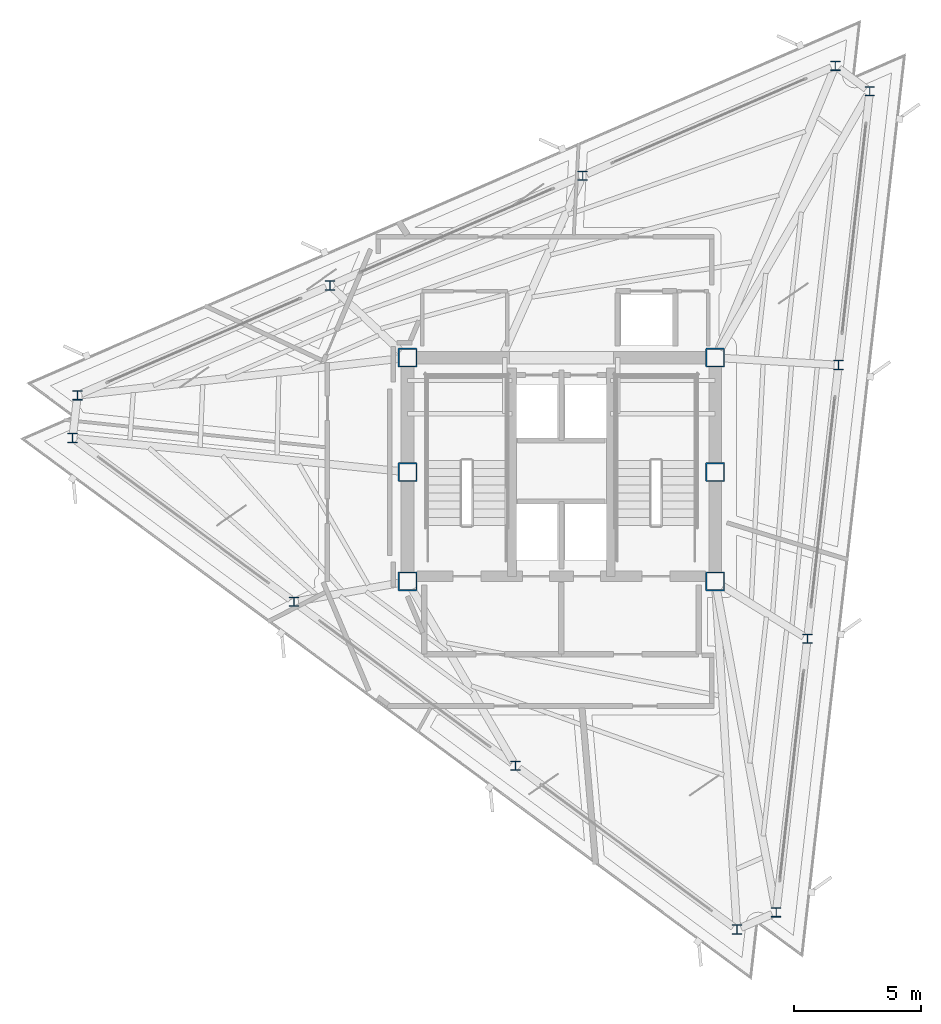
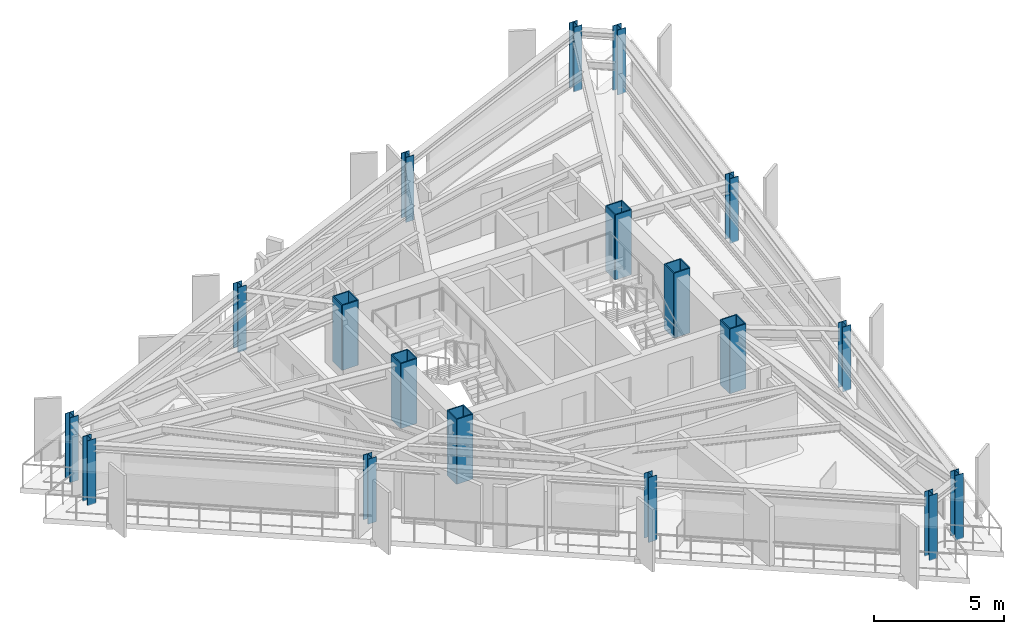
# One storey, part 1 of 10: 18 columns.
"""IFC4 building model written with IfcOpenShell, lengths in metres."""

from ifc_helpers import new_model, si_unit, direction, frame, origin, origin_2d, place, context, subcontext, project, spatial, hollow_rectangle, i_section, extrude, material, material_profile, profile_set, type_object, element, save


model = new_model("IFC4")

# Units and contexts
model_context = context("Model", 3, precision=1e-05, world=origin(), true_north=direction((0.0, 1.0)))
body_context = subcontext(model_context, "Body", "Model", "MODEL_VIEW")
ifc_project = project(units=[si_unit("LENGTHUNIT", "METRE"), si_unit("AREAUNIT", "SQUARE_METRE"), si_unit("VOLUMEUNIT", "CUBIC_METRE"), si_unit("PLANEANGLEUNIT", "RADIAN"), si_unit("MASSUNIT", "GRAM", prefix="KILO")], contexts=[model_context])

# Site, building, storey
site_placement = place(None, origin())
site = spatial("IfcSite", under=ifc_project, at=site_placement, CompositionType="ELEMENT")
building_placement = place(site_placement, origin())
building = spatial("IfcBuilding", under=site, at=building_placement, Name="Rocaltana Carrier Exchange", CompositionType="ELEMENT")
storey_placement = place(building_placement, frame((0.0, 0.0, 230.080078125)))
storey = spatial("IfcBuildingStorey", under=building, at=storey_placement, Name="L73", CompositionType="ELEMENT", Elevation=230.080078125)

# Columns
ifc_material_1 = material(Name="Steel S460", Category="steel")
ifc_material_profile_1 = material_profile(ifc_material_1, hollow_rectangle(XDim=0.75, YDim=0.75, WallThickness=0.050048828125, InnerFilletRadius=0.02001953125, OuterFilletRadius=0.0400390625, at=origin_2d()), Name="BOX750X750X50")
ifc_profile_set_1 = profile_set([ifc_material_profile_1], Name="Steel S460")
column_type_1 = type_object("IfcColumnType", Name="Core Mega-Column BOX750", PredefinedType="COLUMN", material=ifc_profile_set_1)
for number, where, z_axis, x_axis, name in (
    (1, (-6.050048828125, 4.5, 0.0), (0.0, 0.0, 1.0), (1.0, 0.0, 0.0), "L73 Core Mega-Column MC1"),
    (2, (6.050048828125, 4.5, 0.0), (0.0, 0.0, 1.0), (1.0, 0.0, 0.0), "L73 Core Mega-Column MC2"),
    (3, (-6.050048828125, 0.0, 0.0), (0.0, 0.0, 1.0), (1.0, 0.0, 0.0), "L73 Core Mega-Column MC3"),
    (4, (6.050048828125, 0.0, 0.0), (0.0, 0.0, 1.0), (1.0, 0.0, 0.0), "L73 Core Mega-Column MC4"),
    (5, (-6.050048828125, -4.300048828125, 0.0), (0.0, 0.0, 1.0), (1.0, 0.0, 0.0), "L73 Core Mega-Column MC5"),
    (6, (6.050048828125, -4.300048828125, 0.0), (0.0, 0.0, 1.0), (1.0, 0.0, 0.0), "L73 Core Mega-Column MC6"),
):
    element("IfcColumn", number, at=place(storey_placement, frame(where, z_axis=z_axis, x_axis=x_axis)), inside=storey, type_object=column_type_1, Name=name, PredefinedType="COLUMN", context=body_context, shape_type="SweptSolid", body=[
        extrude(hollow_rectangle(XDim=0.75, YDim=0.75, WallThickness=0.050048828125, InnerFilletRadius=0.02001953125, OuterFilletRadius=0.0400390625, at=origin_2d()), origin(), (0.0, 0.0, 1.0), 3.0400390625),
    ])
ifc_material_2 = material(Name="Steel S355", Category="steel")
ifc_material_profile_2 = material_profile(ifc_material_2, i_section(OverallWidth=0.37109375, OverallDepth=0.364013671875, WebThickness=0.01318359375, FlangeThickness=0.021728515625, FilletRadius=0.014892578125, at=origin_2d()), Name="W14X109")
ifc_profile_set_2 = profile_set([ifc_material_profile_2], Name="Steel S355")
column_type_2 = type_object("IfcColumnType", Name="Crown Column W14X109", PredefinedType="COLUMN", material=ifc_profile_set_2)
for number, where, z_axis, x_axis, name in (
    (7, (8.448486328125, -17.317626953125, 0.0), (0.0, 0.0, 1.0), (1.0, 0.0, 0.0), "L73 Perimeter Column TC01"),
    (8, (9.675048828125, -6.553955078125, 0.0), (0.0, 0.0, 1.0), (1.0, 0.0, 0.0), "L73 Perimeter Column TC02"),
    (9, (10.9013671875, 4.209716796875, 0.0), (0.0, 0.0, 1.0), (1.0, 0.0, 0.0), "L73 Perimeter Column TC03"),
    (10, (12.127685546875, 14.973388671875, 0.0), (0.0, 0.0, 1.0), (1.0, 0.0, 0.0), "L73 Perimeter Column TC04"),
    (11, (10.773193359375, 15.9755859375, 0.0), (0.0, 0.0, 1.0), (1.0, 0.0, 0.0), "L73 Perimeter Column TC05"),
    (12, (0.83837890625, 11.65576171875, 0.0), (0.0, 0.0, 1.0), (1.0, 0.0, 0.0), "L73 Perimeter Column TC06"),
    (13, (-9.096435546875, 7.3359375, 0.0), (0.0, 0.0, 1.0), (1.0, 0.0, 0.0), "L73 Perimeter Column TC07"),
    (14, (-19.03125, 3.01611328125, 0.0), (0.0, 0.0, 1.0), (1.0, 0.0, 0.0), "L73 Perimeter Column TC08"),
    (15, (-19.221923828125, 1.342041015625, 0.0), (0.0, 0.0, 1.0), (1.0, 0.0, 0.0), "L73 Perimeter Column TC09"),
    (16, (-10.513427734375, -5.101806640625, 0.0), (0.0, 0.0, 1.0), (1.0, 0.0, 0.0), "L73 Perimeter Column TC10"),
    (17, (-1.804931640625, -11.545654296875, 0.0), (0.0, 0.0, 1.0), (1.0, 0.0, 0.0), "L73 Perimeter Column TC11"),
    (18, (6.9033203125, -17.989501953125, 0.0), (0.0, 0.0, 1.0), (1.0, 0.0, 0.0), "L73 Perimeter Column TC12"),
):
    element("IfcColumn", number, at=place(storey_placement, frame(where, z_axis=z_axis, x_axis=x_axis)), inside=storey, type_object=column_type_2, Name=name, PredefinedType="COLUMN", context=body_context, shape_type="SweptSolid", body=[
        extrude(i_section(OverallWidth=0.37109375, OverallDepth=0.364013671875, WebThickness=0.01318359375, FlangeThickness=0.021728515625, FilletRadius=0.014892578125, at=origin_2d()), origin(), (0.0, 0.0, 1.0), 3.0400390625),
    ])

save(model, "model.ifc")
